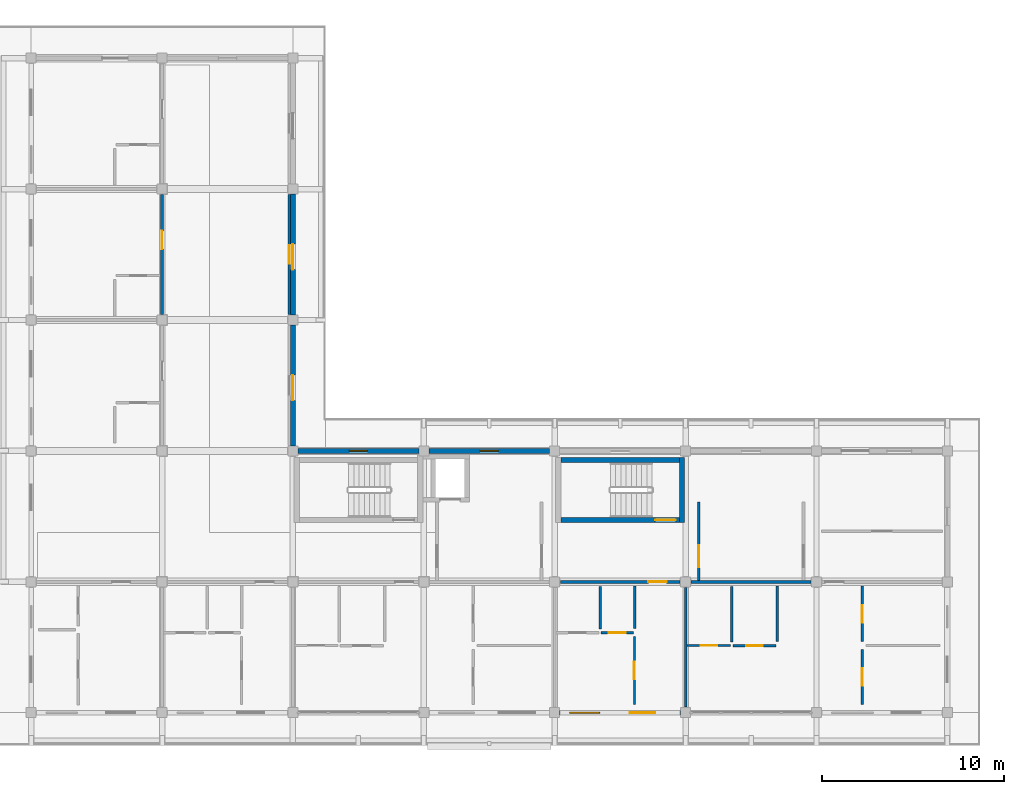
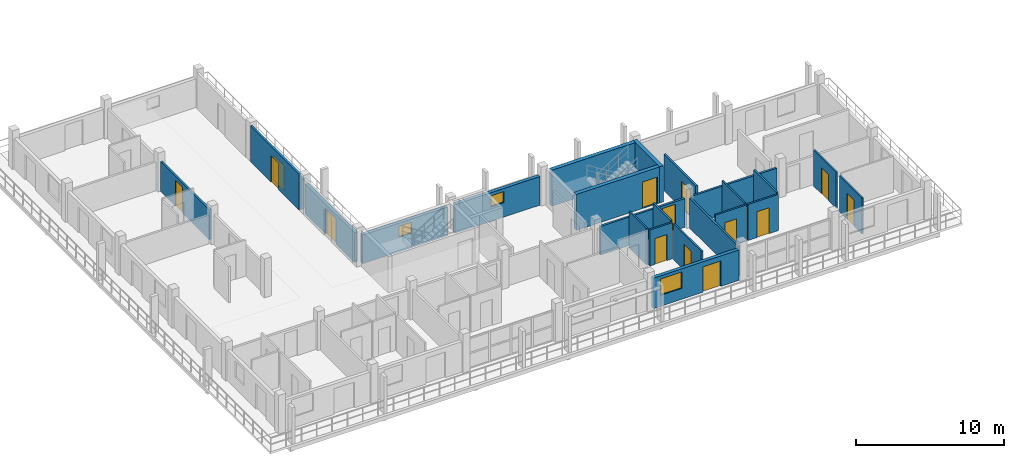
# One storey, part 36 of 73: 24 walls, 14 doors, 3 windows, 17 openings.
"""IFC4 building model written with IfcOpenShell, lengths in metres."""

from ifc_helpers import new_model, si_unit, direction, frame, frame_2d, origin, place, context, subcontext, project, spatial, rectangle, extrude, material, layer, layer_set, type_object, element, fill, save


model = new_model("IFC4")

# Units and contexts
model_context = context("Model", 3, precision=1e-05, world=origin(), true_north=direction((0.0, 1.0)))
body_context = subcontext(model_context, "Body", "Model", "MODEL_VIEW")
ifc_project = project(units=[si_unit("LENGTHUNIT", "METRE"), si_unit("AREAUNIT", "SQUARE_METRE"), si_unit("VOLUMEUNIT", "CUBIC_METRE"), si_unit("PLANEANGLEUNIT", "RADIAN"), si_unit("MASSUNIT", "GRAM", prefix="KILO")], contexts=[model_context])

# Site, building, storey
site_placement = place(None, origin())
site = spatial("IfcSite", under=ifc_project, at=site_placement, CompositionType="ELEMENT")
building_placement = place(site_placement, origin())
building = spatial("IfcBuilding", under=site, at=building_placement, Name="Suanplinth Sawtooth Commons", CompositionType="ELEMENT")
storey_placement = place(building_placement, frame((0.0, 0.0, 21.89990234375)))
storey = spatial("IfcBuildingStorey", under=building, at=storey_placement, Name="L06", CompositionType="ELEMENT", Elevation=21.89990234375)

# Wall, opening, door
ifc_material_1 = material(Name="Concrete C40/50", Category="concrete")
ifc_layer_1 = layer(ifc_material_1, 0.300048828125, Name="Standard RC stair and lift core wall 300mm")
ifc_layer_set_1 = layer_set([ifc_layer_1], Name="Concrete C40/50")
wall_type_1 = type_object("IfcWallType", Name="W-CR02", PredefinedType="SHEAR", material=ifc_layer_set_1)
wall_1_placement = place(storey_placement, frame((29.14990234375, 10.60009765625, 0.0), z_axis=(0.0, 0.0, 1.0), x_axis=(1.0, 0.0, 0.0)))
wall_1 = element("IfcWall", 1, at=wall_1_placement, inside=storey, type_object=wall_type_1, Name="W-L06-C-D2-STS", PredefinedType="SHEAR", context=body_context, shape_type="SweptSolid", body=[
    extrude(rectangle(XDim=6.5, YDim=0.300048828125, at=frame_2d((3.25, 0.0))), origin(), (0.0, 0.0, 1.0), 2.97998046875),
])
opening_1_placement = place(wall_1_placement, frame((5.169921875, 0.0, 0.0)))
opening_1 = element("IfcOpeningElement", 2, at=opening_1_placement, cuts=wall_1, Name="Opening FD0418", PredefinedType="OPENING", context=body_context, shape_type="SweptSolid", body=[
    extrude(rectangle(XDim=1.14990234375, YDim=2.199951171875, at=frame_2d((0.574951171875, 1.10009765625))), frame((0.0, 0.1650390625, 0.0), z_axis=(0.0, -1.0, 0.0), x_axis=(1.0, 0.0, 0.0)), (0.0, 0.0, 1.0), 0.329833984375),
])
ifc_material_2 = material(Name="Teak hardwood fire-rated door assembly", Category="wood")
door_type_1 = type_object("IfcDoorType", Name="FD-01", OperationType="NOTDEFINED", PredefinedType="DOOR", material=ifc_material_2)
door_1_placement = place(opening_1_placement, origin())
door_1 = element("IfcDoor", 3, at=door_1_placement, inside=storey, type_object=door_type_1, Name="Exit Stair Fire Door FD0418", OperationType="SINGLE_SWING_LEFT", OverallHeight=2.199951171875, OverallWidth=1.14990234375, PredefinedType="DOOR", context=body_context, shape_type="SweptSolid", body=[
    extrude(rectangle(XDim=1.14990234375, YDim=2.199951171875, at=frame_2d((0.574951171875, 1.10009765625))), frame((0.0, 0.02490234375, 0.0), z_axis=(0.0, -1.0, 0.0), x_axis=(1.0, 0.0, 0.0)), (0.0, 0.0, 1.0), 0.050048828125),
])
fill(opening_1, door_1)

# Walls
wall_2_placement = place(storey_placement, frame((29.14990234375, 13.89990234375, 0.0), z_axis=(0.0, 0.0, 1.0), x_axis=(1.0, 0.0, 0.0)))
element("IfcWall", 4, at=wall_2_placement, inside=storey, type_object=wall_type_1, Name="W-L06-C-D2-STN", PredefinedType="SHEAR", context=body_context, shape_type="SweptSolid", body=[
    extrude(rectangle(XDim=6.5, YDim=0.300048828125, at=frame_2d((3.25, 0.0))), origin(), (0.0, 0.0, 1.0), 2.97998046875),
])
wall_3_placement = place(storey_placement, frame((35.800048828125, 10.449951171875, 0.0), z_axis=(0.0, 0.0, 1.0), x_axis=(0.0, 1.0, 0.0)))
element("IfcWall", 5, at=wall_3_placement, inside=storey, type_object=wall_type_1, Name="W-L06-C-D2-STE", PredefinedType="SHEAR", context=body_context, shape_type="SweptSolid", body=[
    extrude(rectangle(XDim=3.60009765625, YDim=0.300048828125, at=frame_2d((1.800048828125, 0.0))), origin(), (0.0, 0.0, 1.0), 2.97998046875),
])

# Wall, opening, door
ifc_material_3 = material(Name="Precast concrete C40/50", Category="concrete")
ifc_layer_2 = layer(ifc_material_3, 0.260009765625, Name="Insulated precast courtyard facade wall 260mm")
ifc_layer_set_2 = layer_set([ifc_layer_2], Name="Precast concrete C40/50")
wall_type_2 = type_object("IfcWallType", Name="W-EX02", PredefinedType="ELEMENTEDWALL", material=ifc_layer_set_2)
wall_4_placement = place(storey_placement, frame((14.39990234375, 14.675048828125, 0.0), z_axis=(0.0, 0.0, 1.0), x_axis=(0.0, 1.0, 0.0)))
wall_4 = element("IfcWall", 6, at=wall_4_placement, inside=storey, type_object=wall_type_2, Name="Facade Wall W-L06-D-E-1-2", PredefinedType="ELEMENTEDWALL", context=body_context, shape_type="SweptSolid", body=[
    extrude(rectangle(XDim=6.64990234375, YDim=0.260009765625, at=frame_2d((3.324951171875, 0.0))), origin(), (0.0, 0.0, 1.0), 2.465087890625),
])
opening_2_placement = place(wall_4_placement, frame((2.5, 0.0, 0.0)))
opening_2 = element("IfcOpeningElement", 7, at=opening_2_placement, cuts=wall_4, Name="Opening ED0543", PredefinedType="OPENING", context=body_context, shape_type="SweptSolid", body=[
    extrude(rectangle(XDim=1.39990234375, YDim=2.10009765625, at=frame_2d((0.699951171875, 1.050048828125))), frame((0.0, 0.14501953125, 0.0), z_axis=(0.0, -1.0, 0.0), x_axis=(1.0, 0.0, 0.0)), (0.0, 0.0, 1.0), 0.289794921875),
])
ifc_material_4 = material(Name="Anodized aluminium and low-E glass", Category="aluminium")
door_type_2 = type_object("IfcDoorType", Name="SD-07", OperationType="SLIDING_TO_RIGHT", PredefinedType="DOOR", material=ifc_material_4)
door_2_placement = place(opening_2_placement, frame((1.39990234375, 0.0, 0.0), z_axis=(0.0, 0.0, 1.0), x_axis=(-1.0, 0.0, 0.0)))
door_2 = element("IfcDoor", 8, at=door_2_placement, inside=storey, type_object=door_type_2, Name="Courtyard Veranda Studio Balcony Door L06-D-2", OperationType="SLIDING_TO_RIGHT", OverallHeight=2.10009765625, OverallWidth=1.39990234375, PredefinedType="DOOR", context=body_context, shape_type="SweptSolid", body=[
    extrude(rectangle(XDim=1.39990234375, YDim=2.10009765625, at=frame_2d((0.699951171875, 1.050048828125))), frame((0.0, 0.02490234375, 0.0), z_axis=(0.0, -1.0, 0.0), x_axis=(1.0, 0.0, 0.0)), (0.0, 0.0, 1.0), 0.050048828125),
])
fill(opening_2, door_2)

wall_5_placement = place(storey_placement, frame((14.39990234375, 21.875, 0.0), z_axis=(0.0, 0.0, 1.0), x_axis=(0.0, 1.0, 0.0)))
wall_5 = element("IfcWall", 9, at=wall_5_placement, inside=storey, type_object=wall_type_2, Name="Facade Wall W-L06-D-E-1-3", PredefinedType="ELEMENTEDWALL", context=body_context, shape_type="SweptSolid", body=[
    extrude(rectangle(XDim=6.64990234375, YDim=0.260009765625, at=frame_2d((3.324951171875, 0.0))), origin(), (0.0, 0.0, 1.0), 2.465087890625),
])
opening_3_placement = place(wall_5_placement, frame((2.5, 0.0, 0.0)))
opening_3 = element("IfcOpeningElement", 10, at=opening_3_placement, cuts=wall_5, Name="Opening ED0544", PredefinedType="OPENING", context=body_context, shape_type="SweptSolid", body=[
    extrude(rectangle(XDim=1.39990234375, YDim=2.10009765625, at=frame_2d((0.699951171875, 1.050048828125))), frame((0.0, 0.14501953125, 0.0), z_axis=(0.0, -1.0, 0.0), x_axis=(1.0, 0.0, 0.0)), (0.0, 0.0, 1.0), 0.289794921875),
])
door_3_placement = place(opening_3_placement, frame((1.39990234375, 0.0, 0.0), z_axis=(0.0, 0.0, 1.0), x_axis=(-1.0, 0.0, 0.0)))
door_3 = element("IfcDoor", 11, at=door_3_placement, inside=storey, type_object=door_type_2, Name="Courtyard Veranda Studio Balcony Door L06-D-3", OperationType="SLIDING_TO_RIGHT", OverallHeight=2.10009765625, OverallWidth=1.39990234375, PredefinedType="DOOR", context=body_context, shape_type="SweptSolid", body=[
    extrude(rectangle(XDim=1.39990234375, YDim=2.10009765625, at=frame_2d((0.699951171875, 1.050048828125))), frame((0.0, 0.02490234375, 0.0), z_axis=(0.0, -1.0, 0.0), x_axis=(1.0, 0.0, 0.0)), (0.0, 0.0, 1.0), 0.050048828125),
])
fill(opening_3, door_3)

# Wall, opening, window
wall_6_placement = place(storey_placement, frame((14.675048828125, 14.39990234375, 0.0), z_axis=(0.0, 0.0, 1.0), x_axis=(1.0, 0.0, 0.0)))
wall_6 = element("IfcWall", 12, at=wall_6_placement, inside=storey, type_object=wall_type_2, Name="Facade Wall W-L06-D-N-2-1", PredefinedType="ELEMENTEDWALL", context=body_context, shape_type="SweptSolid", body=[
    extrude(rectangle(XDim=6.64990234375, YDim=0.260009765625, at=frame_2d((3.324951171875, 0.0))), origin(), (0.0, 0.0, 1.0), 2.364990234375),
])
opening_4_placement = place(wall_6_placement, frame((2.824951171875, 0.0, 1.199951171875)))
opening_4 = element("IfcOpeningElement", 13, at=opening_4_placement, cuts=wall_6, Name="Opening W0628", PredefinedType="OPENING", context=body_context, shape_type="SweptSolid", body=[
    extrude(rectangle(XDim=1.0, YDim=0.89990234375, at=frame_2d((0.5, 0.449951171875))), frame((0.0, 0.14501953125, 0.0), z_axis=(0.0, -1.0, 0.0), x_axis=(1.0, 0.0, 0.0)), (0.0, 0.0, 1.0), 0.289794921875),
])
ifc_material_5 = material(Name="Thermally broken aluminium and low-E double glazing", Category="aluminium")
window_type_1 = type_object("IfcWindowType", Name="WN-12", PartitioningType="SINGLE_PANEL", PredefinedType="WINDOW", material=ifc_material_5)
window_1_placement = place(opening_4_placement, origin())
window_1 = element("IfcWindow", 14, at=window_1_placement, inside=storey, type_object=window_type_1, Name="Core Daylight Window L06-D-2-1", OverallHeight=0.89990234375, OverallWidth=1.0, PartitioningType="SINGLE_PANEL", PredefinedType="WINDOW", context=body_context, shape_type="SweptSolid", body=[
    extrude(rectangle(XDim=1.0, YDim=0.89990234375, at=frame_2d((0.5, 0.449951171875))), frame((0.0, 0.030029296875, 0.0), z_axis=(0.0, -1.0, 0.0), x_axis=(1.0, 0.0, 0.0)), (0.0, 0.0, 1.0), 0.06005859375),
])
fill(opening_4, window_1)

wall_7_placement = place(storey_placement, frame((21.875, 14.39990234375, 0.0), z_axis=(0.0, 0.0, 1.0), x_axis=(1.0, 0.0, 0.0)))
wall_7 = element("IfcWall", 15, at=wall_7_placement, inside=storey, type_object=wall_type_2, Name="Facade Wall W-L06-D-N-3-1", PredefinedType="ELEMENTEDWALL", context=body_context, shape_type="SweptSolid", body=[
    extrude(rectangle(XDim=6.64990234375, YDim=0.260009765625, at=frame_2d((3.324951171875, 0.0))), origin(), (0.0, 0.0, 1.0), 2.364990234375),
])
opening_5_placement = place(wall_7_placement, frame((2.824951171875, 0.0, 1.199951171875)))
opening_5 = element("IfcOpeningElement", 16, at=opening_5_placement, cuts=wall_7, Name="Opening W0630", PredefinedType="OPENING", context=body_context, shape_type="SweptSolid", body=[
    extrude(rectangle(XDim=1.0, YDim=0.89990234375, at=frame_2d((0.5, 0.449951171875))), frame((0.0, 0.14501953125, 0.0), z_axis=(0.0, -1.0, 0.0), x_axis=(1.0, 0.0, 0.0)), (0.0, 0.0, 1.0), 0.289794921875),
])
window_2_placement = place(opening_5_placement, origin())
window_2 = element("IfcWindow", 17, at=window_2_placement, inside=storey, type_object=window_type_1, Name="Core Daylight Window L06-D-3-1", OverallHeight=0.89990234375, OverallWidth=1.0, PartitioningType="SINGLE_PANEL", PredefinedType="WINDOW", context=body_context, shape_type="SweptSolid", body=[
    extrude(rectangle(XDim=1.0, YDim=0.89990234375, at=frame_2d((0.5, 0.449951171875))), frame((0.0, 0.030029296875, 0.0), z_axis=(0.0, -1.0, 0.0), x_axis=(1.0, 0.0, 0.0)), (0.0, 0.0, 1.0), 0.06005859375),
])
fill(opening_5, window_2)

# Wall, openings, door, window
wall_8_placement = place(storey_placement, frame((29.074951171875, 0.0, 0.0), z_axis=(0.0, 0.0, 1.0), x_axis=(1.0, 0.0, 0.0)))
wall_8 = element("IfcWall", 18, at=wall_8_placement, inside=storey, type_object=wall_type_2, Name="Facade Wall W-L06-D-S-4-0", PredefinedType="ELEMENTEDWALL", context=body_context, shape_type="SweptSolid", body=[
    extrude(rectangle(XDim=6.650146484375, YDim=0.260009765625, at=frame_2d((3.3251953125, 0.0))), origin(), (0.0, 0.0, 1.0), 2.51513671875),
])
opening_6_placement = place(wall_8_placement, frame((3.85009765625, 0.0, 0.0)))
opening_6 = element("IfcOpeningElement", 19, at=opening_6_placement, cuts=wall_8, Name="Opening ED0547", PredefinedType="OPENING", context=body_context, shape_type="SweptSolid", body=[
    extrude(rectangle(XDim=1.39990234375, YDim=2.10009765625, at=frame_2d((0.699951171875, 1.050048828125))), frame((0.0, 0.14501953125, 0.0), z_axis=(0.0, -1.0, 0.0), x_axis=(1.0, 0.0, 0.0)), (0.0, 0.0, 1.0), 0.289794921875),
])
opening_7_placement = place(wall_8_placement, frame((0.550048828125, 0.0, 0.89990234375)))
opening_7 = element("IfcOpeningElement", 20, at=opening_7_placement, cuts=wall_8, Name="Opening W0631", PredefinedType="OPENING", context=body_context, shape_type="SweptSolid", body=[
    extrude(rectangle(XDim=1.64990234375, YDim=1.35009765625, at=frame_2d((0.824951171875, 0.675048828125))), frame((0.0, 0.14501953125, 0.0), z_axis=(0.0, -1.0, 0.0), x_axis=(1.0, 0.0, 0.0)), (0.0, 0.0, 1.0), 0.289794921875),
])
door_4_placement = place(opening_6_placement, frame((1.39990234375, 0.0, 0.0), z_axis=(0.0, 0.0, 1.0), x_axis=(-1.0, 0.0, 0.0)))
door_4 = element("IfcDoor", 21, at=door_4_placement, inside=storey, type_object=door_type_2, Name="Balcony Sliding Door L06-D-4", OperationType="SLIDING_TO_RIGHT", OverallHeight=2.10009765625, OverallWidth=1.39990234375, PredefinedType="DOOR", context=body_context, shape_type="SweptSolid", body=[
    extrude(rectangle(XDim=1.39990234375, YDim=2.10009765625, at=frame_2d((0.699951171875, 1.050048828125))), frame((0.0, 0.02490234375, 0.0), z_axis=(0.0, -1.0, 0.0), x_axis=(1.0, 0.0, 0.0)), (0.0, 0.0, 1.0), 0.050048828125),
])
fill(opening_6, door_4)
window_type_2 = type_object("IfcWindowType", Name="WN-19", PartitioningType="DOUBLE_PANEL_VERTICAL", PredefinedType="WINDOW", material=ifc_material_5)
window_3_placement = place(opening_7_placement, origin())
window_3 = element("IfcWindow", 22, at=window_3_placement, inside=storey, type_object=window_type_2, Name="Apartment Window L06-D-4", OverallHeight=1.35009765625, OverallWidth=1.64990234375, PartitioningType="DOUBLE_PANEL_VERTICAL", PredefinedType="WINDOW", context=body_context, shape_type="SweptSolid", body=[
    extrude(rectangle(XDim=1.64990234375, YDim=1.35009765625, at=frame_2d((0.824951171875, 0.675048828125))), frame((0.0, 0.030029296875, 0.0), z_axis=(0.0, -1.0, 0.0), x_axis=(1.0, 0.0, 0.0)), (0.0, 0.0, 1.0), 0.06005859375),
])
fill(opening_7, window_3)

# Wall, opening, door
ifc_layer_3 = layer(ifc_material_3, 0.159912109375, Name="Fire-rated corridor and lobby wall 160mm")
ifc_layer_set_3 = layer_set([ifc_layer_3], Name="Precast concrete C40/50")
wall_type_3 = type_object("IfcWallType", Name="W-FW01", PredefinedType="PARTITIONING", material=ifc_layer_set_3)
wall_9_placement = place(storey_placement, frame((36.719970703125, 7.280029296875, 0.0), z_axis=(0.0, 0.0, 1.0), x_axis=(0.0, 1.0, 0.0)))
wall_9 = element("IfcWall", 23, at=wall_9_placement, inside=storey, type_object=wall_type_3, Name="W-L06-C-D2-LOB-W", PredefinedType="PARTITIONING", context=body_context, shape_type="SweptSolid", body=[
    extrude(rectangle(XDim=4.320068359375, YDim=0.159912109375, at=frame_2d((2.16015625, 0.0))), origin(), (0.0, 0.0, 1.0), 2.97998046875),
])
opening_8_placement = place(wall_9_placement, frame((0.719970703125, 0.0, 0.0)))
opening_8 = element("IfcOpeningElement", 24, at=opening_8_placement, cuts=wall_9, Name="Opening FD0419", PredefinedType="OPENING", context=body_context, shape_type="SweptSolid", body=[
    extrude(rectangle(XDim=1.199951171875, YDim=2.199951171875, at=frame_2d((0.60009765625, 1.10009765625))), frame((0.0, 0.0947265625, 0.0), z_axis=(0.0, -1.0, 0.0), x_axis=(1.0, 0.0, 0.0)), (0.0, 0.0, 1.0), 0.189697265625),
])
door_type_3 = type_object("IfcDoorType", Name="FD-02", OperationType="NOTDEFINED", PredefinedType="DOOR", material=ifc_material_2)
door_5_placement = place(opening_8_placement, origin())
door_5 = element("IfcDoor", 25, at=door_5_placement, inside=storey, type_object=door_type_3, Name="Lobby Fire Door FD0419", OperationType="SINGLE_SWING_RIGHT", OverallHeight=2.199951171875, OverallWidth=1.199951171875, PredefinedType="DOOR", context=body_context, shape_type="SweptSolid", body=[
    extrude(rectangle(XDim=1.199951171875, YDim=2.199951171875, at=frame_2d((0.60009765625, 1.10009765625))), frame((0.0, 0.02490234375, 0.0), z_axis=(0.0, -1.0, 0.0), x_axis=(1.0, 0.0, 0.0)), (0.0, 0.0, 1.0), 0.050048828125),
])
fill(opening_8, door_5)

wall_10_placement = place(storey_placement, frame((29.10498046875, 7.199951171875, 0.0), z_axis=(0.0, 0.0, 1.0), x_axis=(1.0, 0.0, 0.0)))
wall_10 = element("IfcWall", 26, at=wall_10_placement, inside=storey, type_object=wall_type_3, Name="W-D-L06-U04-COR", PredefinedType="PARTITIONING", context=body_context, shape_type="SweptSolid", body=[
    extrude(rectangle(XDim=6.590087890625, YDim=0.159912109375, at=frame_2d((3.294921875, 0.0))), origin(), (0.0, 0.0, 1.0), 2.364990234375),
])
opening_9_placement = place(wall_10_placement, frame((4.844970703125, 0.0, 0.0)))
opening_9 = element("IfcOpeningElement", 27, at=opening_9_placement, cuts=wall_10, Name="Opening FD1482", PredefinedType="OPENING", context=body_context, shape_type="SweptSolid", body=[
    extrude(rectangle(XDim=1.0, YDim=2.14990234375, at=frame_2d((0.5, 1.074951171875))), frame((0.0, 0.0947265625, 0.0), z_axis=(0.0, -1.0, 0.0), x_axis=(1.0, 0.0, 0.0)), (0.0, 0.0, 1.0), 0.189697265625),
])
door_type_4 = type_object("IfcDoorType", Name="FD-03", OperationType="NOTDEFINED", PredefinedType="DOOR", material=ifc_material_2)
door_6_placement = place(opening_9_placement, frame((1.0, 0.0, 0.0), z_axis=(0.0, 0.0, 1.0), x_axis=(-1.0, 0.0, 0.0)))
door_6 = element("IfcDoor", 28, at=door_6_placement, inside=storey, type_object=door_type_4, Name="Unit Entrance Door FD1482", OperationType="SINGLE_SWING_RIGHT", OverallHeight=2.14990234375, OverallWidth=1.0, PredefinedType="DOOR", context=body_context, shape_type="SweptSolid", body=[
    extrude(rectangle(XDim=1.0, YDim=2.14990234375, at=frame_2d((0.5, 1.074951171875))), frame((0.0, 0.02490234375, 0.0), z_axis=(0.0, -1.0, 0.0), x_axis=(1.0, 0.0, 0.0)), (0.0, 0.0, 1.0), 0.050048828125),
])
fill(opening_9, door_6)

# Wall
wall_11_placement = place(storey_placement, frame((36.304931640625, 7.199951171875, 0.0), z_axis=(0.0, 0.0, 1.0), x_axis=(1.0, 0.0, 0.0)))
element("IfcWall", 29, at=wall_11_placement, inside=storey, type_object=wall_type_3, Name="W-D-L06-U05-COR-S1", PredefinedType="PARTITIONING", context=body_context, shape_type="SweptSolid", body=[
    extrude(rectangle(XDim=6.590087890625, YDim=0.159912109375, at=frame_2d((3.294921875, 0.0))), origin(), (0.0, 0.0, 1.0), 2.364990234375),
])

# Wall, opening, door
wall_12_placement = place(storey_placement, frame((7.199951171875, 21.905029296875, 0.0), z_axis=(0.0, 0.0, 1.0), x_axis=(0.0, 1.0, 0.0)))
wall_12 = element("IfcWall", 30, at=wall_12_placement, inside=storey, type_object=wall_type_3, Name="W-D-L06-L02-COR", PredefinedType="PARTITIONING", context=body_context, shape_type="SweptSolid", body=[
    extrude(rectangle(XDim=6.590087890625, YDim=0.159912109375, at=frame_2d((3.294921875, 0.0))), origin(), (0.0, 0.0, 1.0), 2.465087890625),
])
opening_10_placement = place(wall_12_placement, frame((3.594970703125, 0.0, 0.0)))
opening_10 = element("IfcOpeningElement", 31, at=opening_10_placement, cuts=wall_12, Name="Opening FD1495", PredefinedType="OPENING", context=body_context, shape_type="SweptSolid", body=[
    extrude(rectangle(XDim=1.0, YDim=2.14990234375, at=frame_2d((0.5, 1.074951171875))), frame((0.0, 0.0947265625, 0.0), z_axis=(0.0, -1.0, 0.0), x_axis=(1.0, 0.0, 0.0)), (0.0, 0.0, 1.0), 0.189697265625),
])
door_7_placement = place(opening_10_placement, origin())
door_7 = element("IfcDoor", 32, at=door_7_placement, inside=storey, type_object=door_type_4, Name="Wing Unit Entrance Door FD1495", OperationType="SINGLE_SWING_LEFT", OverallHeight=2.14990234375, OverallWidth=1.0, PredefinedType="DOOR", context=body_context, shape_type="SweptSolid", body=[
    extrude(rectangle(XDim=1.0, YDim=2.14990234375, at=frame_2d((0.5, 1.074951171875))), frame((0.0, 0.02490234375, 0.0), z_axis=(0.0, -1.0, 0.0), x_axis=(1.0, 0.0, 0.0)), (0.0, 0.0, 1.0), 0.050048828125),
])
fill(opening_10, door_7)

wall_13_placement = place(storey_placement, frame((14.199951171875, 21.905029296875, 0.0), z_axis=(0.0, 0.0, 1.0), x_axis=(0.0, 1.0, 0.0)))
wall_13 = element("IfcWall", 33, at=wall_13_placement, inside=storey, type_object=wall_type_3, Name="W-D-L06-LEGCOURTROOM-57-COR", PredefinedType="PARTITIONING", context=body_context, shape_type="SweptSolid", body=[
    extrude(rectangle(XDim=6.590087890625, YDim=0.159912109375, at=frame_2d((3.294921875, 0.0))), origin(), (0.0, 0.0, 1.0), 2.97998046875),
])
opening_11_placement = place(wall_13_placement, frame((2.784912109375, 0.0, 0.0)))
opening_11 = element("IfcOpeningElement", 34, at=opening_11_placement, cuts=wall_13, Name="Opening D1497", PredefinedType="OPENING", context=body_context, shape_type="SweptSolid", body=[
    extrude(rectangle(XDim=1.02001953125, YDim=2.179931640625, at=frame_2d((0.510009765625, 1.08984375))), frame((0.0, 0.0947265625, 0.0), z_axis=(0.0, -1.0, 0.0), x_axis=(1.0, 0.0, 0.0)), (0.0, 0.0, 1.0), 0.189697265625),
])
ifc_material_6 = material(Name="Teak hardwood", Category="wood")
door_type_5 = type_object("IfcDoorType", Name="D-16", OperationType="NOTDEFINED", PredefinedType="DOOR", material=ifc_material_6)
door_8_placement = place(opening_11_placement, frame((1.02001953125, 0.0, 0.0), z_axis=(0.0, 0.0, 1.0), x_axis=(-1.0, 0.0, 0.0)))
door_8 = element("IfcDoor", 35, at=door_8_placement, inside=storey, type_object=door_type_5, Name="Veranda Studio Door D1497", OperationType="SINGLE_SWING_LEFT", OverallHeight=2.179931640625, OverallWidth=1.02001953125, PredefinedType="DOOR", context=body_context, shape_type="SweptSolid", body=[
    extrude(rectangle(XDim=1.02001953125, YDim=2.179931640625, at=frame_2d((0.510009765625, 1.08984375))), frame((0.0, 0.02490234375, 0.0), z_axis=(0.0, -1.0, 0.0), x_axis=(1.0, 0.0, 0.0)), (0.0, 0.0, 1.0), 0.050048828125),
])
fill(opening_11, door_8)

# Wall
ifc_layer_4 = layer(ifc_material_3, 0.14990234375, Name="Acoustic precast party demising wall 150mm")
ifc_layer_set_4 = layer_set([ifc_layer_4], Name="Precast concrete C40/50")
wall_type_4 = type_object("IfcWallType", Name="W-FW02", PredefinedType="PARTITIONING", material=ifc_layer_set_4)
wall_14_placement = place(storey_placement, frame((36.0, 0.304931640625, 0.0), z_axis=(0.0, 0.0, 1.0), x_axis=(0.0, 1.0, 0.0)))
element("IfcWall", 36, at=wall_14_placement, inside=storey, type_object=wall_type_4, Name="W-D-L06-U04-PTY", PredefinedType="PARTITIONING", context=body_context, shape_type="SweptSolid", body=[
    extrude(rectangle(XDim=6.590087890625, YDim=0.14990234375, at=frame_2d((3.294921875, 0.0))), origin(), (0.0, 0.0, 1.0), 2.465087890625),
])

# Wall, opening, door
ifc_material_7 = material(Name="Gypsum plasterboard on steel stud", Category="steel")
ifc_layer_5 = layer(ifc_material_7, 0.139892578125, Name="Fire-rated kitchen partition 140mm")
ifc_layer_set_5 = layer_set([ifc_layer_5], Name="Gypsum plasterboard on steel stud")
wall_type_5 = type_object("IfcWallType", Name="W-PT01", PredefinedType="PARTITIONING", material=ifc_layer_set_5)
wall_15_placement = place(storey_placement, frame((31.35009765625, 4.39990234375, 0.0), z_axis=(0.0, 0.0, 1.0), x_axis=(1.0, 0.0, 0.0)))
wall_15 = element("IfcWall", 37, at=wall_15_placement, inside=storey, type_object=wall_type_5, Name="W-D-L06-U04-KIT1", PredefinedType="PARTITIONING", context=body_context, shape_type="SweptSolid", body=[
    extrude(rectangle(XDim=1.77001953125, YDim=0.139892578125, at=frame_2d((0.885009765625, 0.0))), origin(), (0.0, 0.0, 1.0), 2.97998046875),
])
opening_12_placement = place(wall_15_placement, frame((0.419921875, 0.0, 0.0)))
opening_12 = element("IfcOpeningElement", 38, at=opening_12_placement, cuts=wall_15, Name="Opening D1484", PredefinedType="OPENING", context=body_context, shape_type="SweptSolid", body=[
    extrude(rectangle(XDim=0.929931640625, YDim=2.139892578125, at=frame_2d((0.46484375, 1.06982421875))), frame((0.0, 0.0849609375, 0.0), z_axis=(0.0, -1.0, 0.0), x_axis=(1.0, 0.0, 0.0)), (0.0, 0.0, 1.0), 0.169677734375),
])
door_type_6 = type_object("IfcDoorType", Name="D-19", OperationType="NOTDEFINED", PredefinedType="DOOR", material=ifc_material_6)
door_9_placement = place(opening_12_placement, origin())
door_9 = element("IfcDoor", 39, at=door_9_placement, inside=storey, type_object=door_type_6, Name="Kitchen Door D1484", OperationType="SINGLE_SWING_RIGHT", OverallHeight=2.139892578125, OverallWidth=0.929931640625, PredefinedType="DOOR", context=body_context, shape_type="SweptSolid", body=[
    extrude(rectangle(XDim=0.929931640625, YDim=2.139892578125, at=frame_2d((0.46484375, 1.06982421875))), frame((0.0, 0.02490234375, 0.0), z_axis=(0.0, -1.0, 0.0), x_axis=(1.0, 0.0, 0.0)), (0.0, 0.0, 1.0), 0.050048828125),
])
fill(opening_12, door_9)

# Wall
wall_16_placement = place(storey_placement, frame((33.18994140625, 4.6201171875, 0.0), z_axis=(0.0, 0.0, 1.0), x_axis=(0.0, 1.0, 0.0)))
element("IfcWall", 40, at=wall_16_placement, inside=storey, type_object=wall_type_5, Name="W-D-L06-U04-KIT2", PredefinedType="PARTITIONING", context=body_context, shape_type="SweptSolid", body=[
    extrude(rectangle(XDim=2.349853515625, YDim=0.139892578125, at=frame_2d((1.1748046875, 0.0))), origin(), (0.0, 0.0, 1.0), 2.97998046875),
])

# Wall, opening, door
wall_17_placement = place(storey_placement, frame((38.60009765625, 3.68994140625, 0.0), z_axis=(0.0, 0.0, 1.0), x_axis=(1.0, 0.0, 0.0)))
wall_17 = element("IfcWall", 41, at=wall_17_placement, inside=storey, type_object=wall_type_5, Name="W-D-L06-U05-KIT1", PredefinedType="PARTITIONING", context=body_context, shape_type="SweptSolid", body=[
    extrude(rectangle(XDim=2.3798828125, YDim=0.139892578125, at=frame_2d((1.18994140625, 0.0))), origin(), (0.0, 0.0, 1.0), 2.97998046875),
])
opening_13_placement = place(wall_17_placement, frame((0.72509765625, 0.0, 0.0)))
opening_13 = element("IfcOpeningElement", 42, at=opening_13_placement, cuts=wall_17, Name="Opening D1488", PredefinedType="OPENING", context=body_context, shape_type="SweptSolid", body=[
    extrude(rectangle(XDim=0.929931640625, YDim=2.139892578125, at=frame_2d((0.46484375, 1.06982421875))), frame((0.0, 0.0849609375, 0.0), z_axis=(0.0, -1.0, 0.0), x_axis=(1.0, 0.0, 0.0)), (0.0, 0.0, 1.0), 0.169677734375),
])
door_10_placement = place(opening_13_placement, origin())
door_10 = element("IfcDoor", 43, at=door_10_placement, inside=storey, type_object=door_type_6, Name="Kitchen Door D1488", OperationType="SINGLE_SWING_RIGHT", OverallHeight=2.139892578125, OverallWidth=0.929931640625, PredefinedType="DOOR", context=body_context, shape_type="SweptSolid", body=[
    extrude(rectangle(XDim=0.929931640625, YDim=2.139892578125, at=frame_2d((0.46484375, 1.06982421875))), frame((0.0, 0.02490234375, 0.0), z_axis=(0.0, -1.0, 0.0), x_axis=(1.0, 0.0, 0.0)), (0.0, 0.0, 1.0), 0.050048828125),
])
fill(opening_13, door_10)

# Walls
wall_18_placement = place(storey_placement, frame((41.050048828125, 3.909912109375, 0.0), z_axis=(0.0, 0.0, 1.0), x_axis=(0.0, 1.0, 0.0)))
element("IfcWall", 44, at=wall_18_placement, inside=storey, type_object=wall_type_5, Name="W-D-L06-U05-KIT2", PredefinedType="PARTITIONING", context=body_context, shape_type="SweptSolid", body=[
    extrude(rectangle(XDim=3.06005859375, YDim=0.139892578125, at=frame_2d((1.530029296875, 0.0))), origin(), (0.0, 0.0, 1.0), 2.97998046875),
])
ifc_layer_6 = layer(ifc_material_7, 0.1298828125, Name="Moisture-resistant bathroom partition 130mm")
ifc_layer_set_6 = layer_set([ifc_layer_6], Name="Gypsum plasterboard on steel stud")
wall_type_6 = type_object("IfcWallType", Name="W-PT02", PredefinedType="PARTITIONING", material=ifc_layer_set_6)
wall_19_placement = place(storey_placement, frame((31.294921875, 4.610107421875, 0.0), z_axis=(0.0, 0.0, 1.0), x_axis=(0.0, 1.0, 0.0)))
element("IfcWall", 45, at=wall_19_placement, inside=storey, type_object=wall_type_6, Name="W-D-L06-U04-BTH2", PredefinedType="PARTITIONING", context=body_context, shape_type="SweptSolid", body=[
    extrude(rectangle(XDim=2.329833984375, YDim=0.1298828125, at=frame_2d((1.1650390625, 0.0))), origin(), (0.0, 0.0, 1.0), 2.97998046875),
])

# Wall, opening, door
wall_20_placement = place(storey_placement, frame((36.080078125, 3.695068359375, 0.0), z_axis=(0.0, 0.0, 1.0), x_axis=(1.0, 0.0, 0.0)))
wall_20 = element("IfcWall", 46, at=wall_20_placement, inside=storey, type_object=wall_type_6, Name="W-D-L06-U05-BTH1", PredefinedType="PARTITIONING", context=body_context, shape_type="SweptSolid", body=[
    extrude(rectangle(XDim=2.39990234375, YDim=0.1298828125, at=frame_2d((1.199951171875, 0.0))), origin(), (0.0, 0.0, 1.0), 2.97998046875),
])
opening_14_placement = place(wall_20_placement, frame((0.75, 0.0, 0.0)))
opening_14 = element("IfcOpeningElement", 47, at=opening_14_placement, cuts=wall_20, Name="Opening D1487", PredefinedType="OPENING", context=body_context, shape_type="SweptSolid", body=[
    extrude(rectangle(XDim=0.89990234375, YDim=2.10009765625, at=frame_2d((0.449951171875, 1.050048828125))), frame((0.0, 0.079833984375, 0.0), z_axis=(0.0, -1.0, 0.0), x_axis=(1.0, 0.0, 0.0)), (0.0, 0.0, 1.0), 0.15966796875),
])
door_type_7 = type_object("IfcDoorType", Name="D-01", OperationType="NOTDEFINED", PredefinedType="DOOR", material=ifc_material_6)
door_11_placement = place(opening_14_placement, origin())
door_11 = element("IfcDoor", 48, at=door_11_placement, inside=storey, type_object=door_type_7, Name="Bathroom Door D1487", OperationType="SINGLE_SWING_LEFT", OverallHeight=2.10009765625, OverallWidth=0.89990234375, PredefinedType="DOOR", context=body_context, shape_type="SweptSolid", body=[
    extrude(rectangle(XDim=0.89990234375, YDim=2.10009765625, at=frame_2d((0.449951171875, 1.050048828125))), frame((0.0, 0.02490234375, 0.0), z_axis=(0.0, -1.0, 0.0), x_axis=(1.0, 0.0, 0.0)), (0.0, 0.0, 1.0), 0.050048828125),
])
fill(opening_14, door_11)

# Wall
wall_21_placement = place(storey_placement, frame((38.544921875, 3.89990234375, 0.0), z_axis=(0.0, 0.0, 1.0), x_axis=(0.0, 1.0, 0.0)))
element("IfcWall", 49, at=wall_21_placement, inside=storey, type_object=wall_type_6, Name="W-D-L06-U05-BTH2", PredefinedType="PARTITIONING", context=body_context, shape_type="SweptSolid", body=[
    extrude(rectangle(XDim=3.0400390625, YDim=0.1298828125, at=frame_2d((1.52001953125, 0.0))), origin(), (0.0, 0.0, 1.0), 2.97998046875),
])

# Wall, opening, door
ifc_layer_7 = layer(ifc_material_7, 0.1201171875, Name="Acoustic bedroom partition 120mm")
ifc_layer_set_7 = layer_set([ifc_layer_7], Name="Gypsum plasterboard on steel stud")
wall_type_7 = type_object("IfcWallType", Name="W-PT03", PredefinedType="PARTITIONING", material=ifc_layer_set_7)
wall_22_placement = place(storey_placement, frame((33.179931640625, 0.43994140625, 0.0), z_axis=(0.0, 0.0, 1.0), x_axis=(0.0, 1.0, 0.0)))
wall_22 = element("IfcWall", 50, at=wall_22_placement, inside=storey, type_object=wall_type_7, Name="W-D-L06-U04-BED1", PredefinedType="PARTITIONING", context=body_context, shape_type="SweptSolid", body=[
    extrude(rectangle(XDim=3.75, YDim=0.1201171875, at=frame_2d((1.875, 0.0))), origin(), (0.0, 0.0, 1.0), 2.97998046875),
])
opening_15_placement = place(wall_22_placement, frame((1.39990234375, 0.0, 0.0)))
opening_15 = element("IfcOpeningElement", 51, at=opening_15_placement, cuts=wall_22, Name="Opening D1485", PredefinedType="OPENING", context=body_context, shape_type="SweptSolid", body=[
    extrude(rectangle(XDim=0.949951171875, YDim=2.14990234375, at=frame_2d((0.47509765625, 1.074951171875))), frame((0.0, 0.074951171875, 0.0), z_axis=(0.0, -1.0, 0.0), x_axis=(1.0, 0.0, 0.0)), (0.0, 0.0, 1.0), 0.14990234375),
])
door_type_8 = type_object("IfcDoorType", Name="D-03", OperationType="NOTDEFINED", PredefinedType="DOOR", material=ifc_material_6)
door_12_placement = place(opening_15_placement, origin())
door_12 = element("IfcDoor", 52, at=door_12_placement, inside=storey, type_object=door_type_8, Name="Bedroom Door D1485", OperationType="SINGLE_SWING_LEFT", OverallHeight=2.14990234375, OverallWidth=0.949951171875, PredefinedType="DOOR", context=body_context, shape_type="SweptSolid", body=[
    extrude(rectangle(XDim=0.949951171875, YDim=2.14990234375, at=frame_2d((0.47509765625, 1.074951171875))), frame((0.0, 0.02490234375, 0.0), z_axis=(0.0, -1.0, 0.0), x_axis=(1.0, 0.0, 0.0)), (0.0, 0.0, 1.0), 0.050048828125),
])
fill(opening_15, door_12)

wall_23_placement = place(storey_placement, frame((45.719970703125, 0.43994140625, 0.0), z_axis=(0.0, 0.0, 1.0), x_axis=(0.0, 1.0, 0.0)))
wall_23 = element("IfcWall", 53, at=wall_23_placement, inside=storey, type_object=wall_type_7, Name="W-D-L06-U05-BED1", PredefinedType="PARTITIONING", context=body_context, shape_type="SweptSolid", body=[
    extrude(rectangle(XDim=3.0400390625, YDim=0.1201171875, at=frame_2d((1.52001953125, 0.0))), origin(), (0.0, 0.0, 1.0), 2.97998046875),
])
opening_16_placement = place(wall_23_placement, frame((1.044921875, 0.0, 0.0)))
opening_16 = element("IfcOpeningElement", 54, at=opening_16_placement, cuts=wall_23, Name="Opening D1489", PredefinedType="OPENING", context=body_context, shape_type="SweptSolid", body=[
    extrude(rectangle(XDim=0.949951171875, YDim=2.14990234375, at=frame_2d((0.47509765625, 1.074951171875))), frame((0.0, 0.074951171875, 0.0), z_axis=(0.0, -1.0, 0.0), x_axis=(1.0, 0.0, 0.0)), (0.0, 0.0, 1.0), 0.14990234375),
])
door_13_placement = place(opening_16_placement, frame((0.949951171875, 0.0, 0.0), z_axis=(0.0, 0.0, 1.0), x_axis=(-1.0, 0.0, 0.0)))
door_13 = element("IfcDoor", 55, at=door_13_placement, inside=storey, type_object=door_type_8, Name="Bedroom Door D1489", OperationType="SINGLE_SWING_LEFT", OverallHeight=2.14990234375, OverallWidth=0.949951171875, PredefinedType="DOOR", context=body_context, shape_type="SweptSolid", body=[
    extrude(rectangle(XDim=0.949951171875, YDim=2.14990234375, at=frame_2d((0.47509765625, 1.074951171875))), frame((0.0, 0.02490234375, 0.0), z_axis=(0.0, -1.0, 0.0), x_axis=(1.0, 0.0, 0.0)), (0.0, 0.0, 1.0), 0.050048828125),
])
fill(opening_16, door_13)

wall_24_placement = place(storey_placement, frame((45.719970703125, 3.919921875, 0.0), z_axis=(0.0, 0.0, 1.0), x_axis=(0.0, 1.0, 0.0)))
wall_24 = element("IfcWall", 56, at=wall_24_placement, inside=storey, type_object=wall_type_7, Name="W-D-L06-U05-BED2", PredefinedType="PARTITIONING", context=body_context, shape_type="SweptSolid", body=[
    extrude(rectangle(XDim=3.0400390625, YDim=0.1201171875, at=frame_2d((1.52001953125, 0.0))), origin(), (0.0, 0.0, 1.0), 2.97998046875),
])
opening_17_placement = place(wall_24_placement, frame((1.0400390625, 0.0, 0.0)))
opening_17 = element("IfcOpeningElement", 57, at=opening_17_placement, cuts=wall_24, Name="Opening D1490", PredefinedType="OPENING", context=body_context, shape_type="SweptSolid", body=[
    extrude(rectangle(XDim=0.9599609375, YDim=2.14990234375, at=frame_2d((0.47998046875, 1.074951171875))), frame((0.0, 0.074951171875, 0.0), z_axis=(0.0, -1.0, 0.0), x_axis=(1.0, 0.0, 0.0)), (0.0, 0.0, 1.0), 0.14990234375),
])
door_type_9 = type_object("IfcDoorType", Name="D-13", OperationType="NOTDEFINED", PredefinedType="DOOR", material=ifc_material_6)
door_14_placement = place(opening_17_placement, frame((0.9599609375, 0.0, 0.0), z_axis=(0.0, 0.0, 1.0), x_axis=(-1.0, 0.0, 0.0)))
door_14 = element("IfcDoor", 58, at=door_14_placement, inside=storey, type_object=door_type_9, Name="Second Bedroom Door D1490", OperationType="SINGLE_SWING_RIGHT", OverallHeight=2.14990234375, OverallWidth=0.9599609375, PredefinedType="DOOR", context=body_context, shape_type="SweptSolid", body=[
    extrude(rectangle(XDim=0.9599609375, YDim=2.14990234375, at=frame_2d((0.47998046875, 1.074951171875))), frame((0.0, 0.02490234375, 0.0), z_axis=(0.0, -1.0, 0.0), x_axis=(1.0, 0.0, 0.0)), (0.0, 0.0, 1.0), 0.050048828125),
])
fill(opening_17, door_14)

save(model, "model.ifc")
